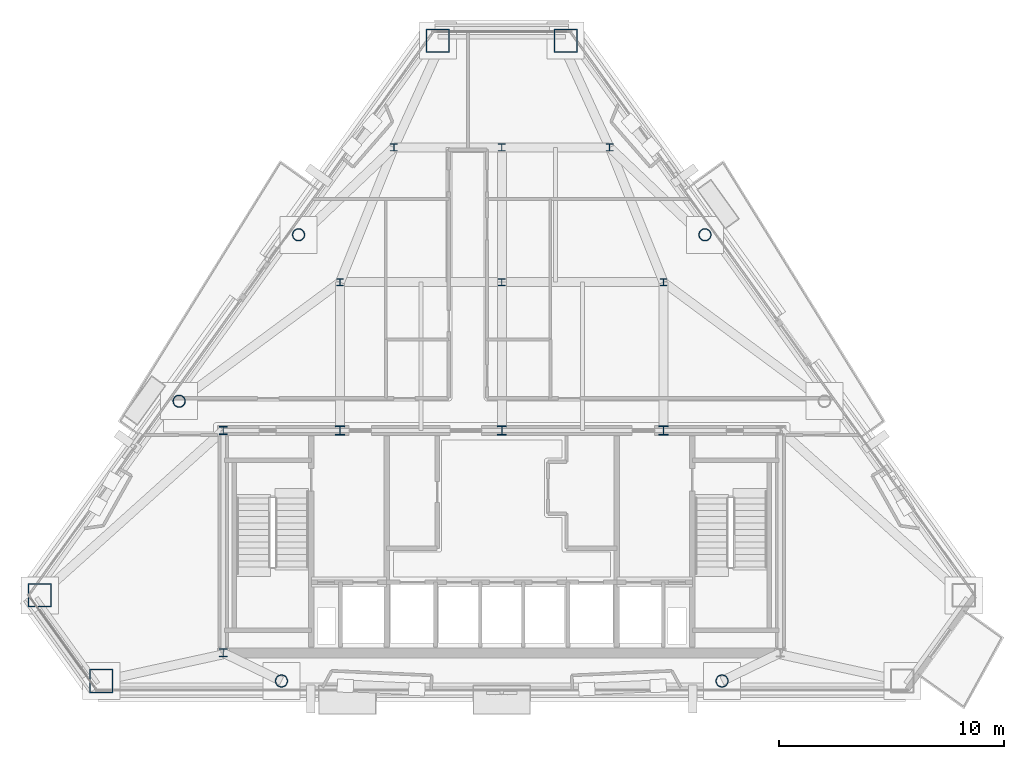
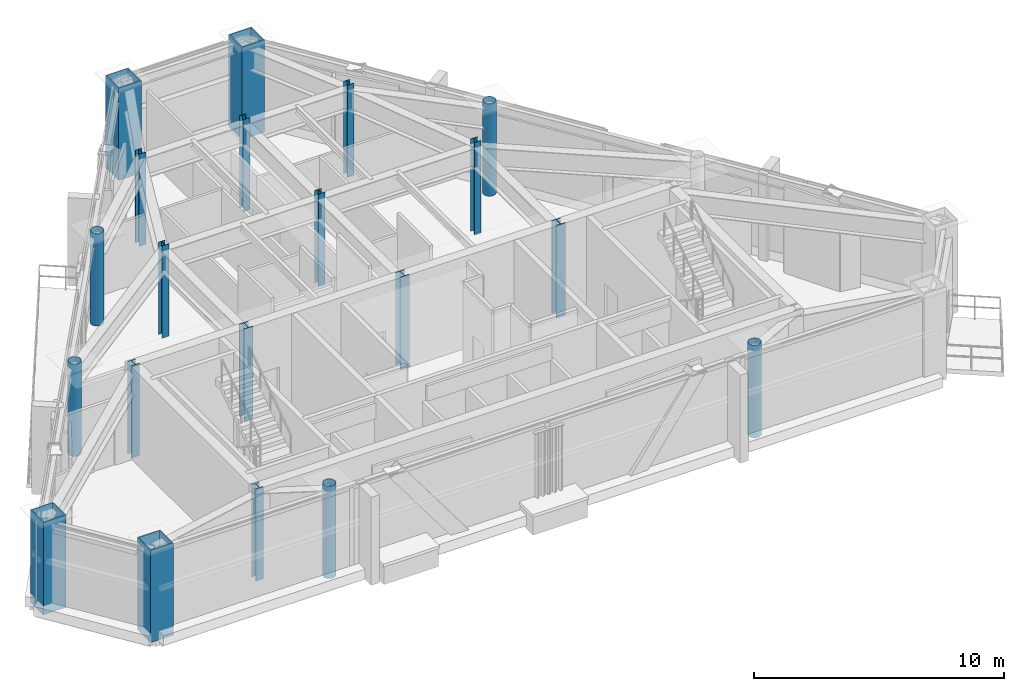
# One storey, part 1 of 11: 20 columns.
"""IFC4 building model written with IfcOpenShell, lengths in metres."""

from ifc_helpers import new_model, si_unit, direction, frame, origin, origin_2d, place, context, subcontext, project, spatial, hollow_rectangle, hollow_circle, i_section, extrude, material, material_profile, profile_set, type_object, element, save


model = new_model("IFC4")

# Units and contexts
model_context = context("Model", 3, precision=1e-05, world=origin(), true_north=direction((0.0, 1.0)))
body_context = subcontext(model_context, "Body", "Model", "MODEL_VIEW")
ifc_project = project(units=[si_unit("LENGTHUNIT", "METRE"), si_unit("AREAUNIT", "SQUARE_METRE"), si_unit("VOLUMEUNIT", "CUBIC_METRE"), si_unit("PLANEANGLEUNIT", "RADIAN"), si_unit("MASSUNIT", "GRAM", prefix="KILO")], contexts=[model_context])

# Site, building, storey
site_placement = place(None, origin())
site = spatial("IfcSite", under=ifc_project, at=site_placement, CompositionType="ELEMENT")
building_placement = place(site_placement, origin())
building = spatial("IfcBuilding", under=site, at=building_placement, Name="Talgorran Terracotta Tower", CompositionType="ELEMENT")
storey_placement = place(building_placement, frame((0.0, 0.0, 228.89990234375)))
storey = spatial("IfcBuildingStorey", under=building, at=storey_placement, Name="L60", CompositionType="ELEMENT", Elevation=228.89990234375)

# Columns
ifc_material_1 = material(Name="Steel S355 (300PLUS)", Category="steel")
ifc_material_profile_1 = material_profile(ifc_material_1, i_section(OverallWidth=0.306884765625, OverallDepth=0.314453125, WebThickness=0.011962890625, FlangeThickness=0.018798828125, at=origin_2d()), Name="310UC118")
ifc_profile_set_1 = profile_set([ifc_material_profile_1], Name="Steel S355 (300PLUS)")
column_type_1 = type_object("IfcColumnType", Name="COL_310UC118", PredefinedType="COLUMN", material=ifc_profile_set_1)
for number, where, z_axis, x_axis, name in (
    (1, (-7.199951171875, 2.39990234375, 0.0), (0.0, 0.0, 1.0), (1.0, 0.0, 0.0), "L60 Interior Gravity Column IC1"),
    (2, (0.0, 2.39990234375, 0.0), (0.0, 0.0, 1.0), (1.0, 0.0, 0.0), "L60 Interior Gravity Column IC2"),
    (3, (7.199951171875, 2.39990234375, 0.0), (0.0, 0.0, 1.0), (1.0, 0.0, 0.0), "L60 Interior Gravity Column IC3"),
    (4, (-4.800048828125, 8.39990234375, 0.0), (0.0, 0.0, 1.0), (1.0, 0.0, 0.0), "L60 Interior Gravity Column IC4"),
    (5, (0.0, 8.39990234375, 0.0), (0.0, 0.0, 1.0), (1.0, 0.0, 0.0), "L60 Interior Gravity Column IC5"),
    (6, (4.800048828125, 8.39990234375, 0.0), (0.0, 0.0, 1.0), (1.0, 0.0, 0.0), "L60 Interior Gravity Column IC6"),
):
    element("IfcColumn", number, at=place(storey_placement, frame(where, z_axis=z_axis, x_axis=x_axis)), inside=storey, type_object=column_type_1, Name=name, PredefinedType="COLUMN", context=body_context, shape_type="SweptSolid", body=[
        extrude(i_section(OverallWidth=0.306884765625, OverallDepth=0.314453125, WebThickness=0.011962890625, FlangeThickness=0.018798828125, at=origin_2d()), origin(), (0.0, 0.0, 1.0), 4.5),
    ])
ifc_material_profile_2 = material_profile(ifc_material_1, i_section(OverallWidth=0.35205078125, OverallDepth=0.35888671875, WebThickness=0.01806640625, FlangeThickness=0.02587890625, at=origin_2d()), Name="350WC197")
ifc_profile_set_2 = profile_set([ifc_material_profile_2], Name="Steel S355 (300PLUS)")
column_type_2 = type_object("IfcColumnType", Name="COL_350WC197", PredefinedType="COLUMN", material=ifc_profile_set_2)
for number, where, z_axis, x_axis, name in (
    (7, (-12.39990234375, -14.10009765625, 0.0), (0.0, 0.0, 1.0), (1.0, 0.0, 0.0), "L60 Core Boundary Column CC1"),
    (8, (-12.39990234375, -4.199951171875, 0.0), (0.0, 0.0, 1.0), (1.0, 0.0, 0.0), "L60 Core Boundary Column CC4"),
):
    element("IfcColumn", number, at=place(storey_placement, frame(where, z_axis=z_axis, x_axis=x_axis)), inside=storey, type_object=column_type_2, Name=name, PredefinedType="COLUMN", context=body_context, shape_type="SweptSolid", body=[
        extrude(i_section(OverallWidth=0.35205078125, OverallDepth=0.35888671875, WebThickness=0.01806640625, FlangeThickness=0.02587890625, at=origin_2d()), origin(), (0.0, 0.0, 1.0), 4.5),
    ])
ifc_material_2 = material(Name="Steel Grade 350 (350L0)", Category="steel")
ifc_material_profile_3 = material_profile(ifc_material_2, hollow_rectangle(XDim=1.050048828125, YDim=1.050048828125, WallThickness=0.044921875, at=origin_2d()), Name="CFT1050X1050X45")
ifc_profile_set_3 = profile_set([ifc_material_profile_3], Name="Steel Grade 350 (350L0)")
column_type_3 = type_object("IfcColumnType", Name="COL_CFT_1050", PredefinedType="COLUMN", material=ifc_profile_set_3)
for number, where, z_axis, x_axis, name in (
    (9, (-20.566650390625, -11.53955078125, 0.0), (0.0, 0.0, 1.0), (1.0, 0.0, 0.0), "L60 Corner CFT Mega-Column MC1"),
    (10, (-17.830078125, -15.352294921875, 0.0), (0.0, 0.0, 1.0), (1.0, 0.0, 0.0), "L60 Corner CFT Mega-Column MC2"),
    (11, (2.843017578125, 13.153076171875, 0.0), (0.0, 0.0, 1.0), (1.0, 0.0, 0.0), "L60 Corner CFT Mega-Column MC5"),
    (12, (-2.843017578125, 13.153076171875, 0.0), (0.0, 0.0, 1.0), (1.0, 0.0, 0.0), "L60 Corner CFT Mega-Column MC6"),
):
    element("IfcColumn", number, at=place(storey_placement, frame(where, z_axis=z_axis, x_axis=x_axis)), inside=storey, type_object=column_type_3, Name=name, PredefinedType="COLUMN", context=body_context, shape_type="SweptSolid", body=[
        extrude(hollow_rectangle(XDim=1.050048828125, YDim=1.050048828125, WallThickness=0.044921875, at=origin_2d()), origin(), (0.0, 0.0, 1.0), 4.5),
    ])
ifc_material_profile_4 = material_profile(ifc_material_2, hollow_circle(Radius=0.27490234375, WallThickness=0.02392578125, at=origin_2d()), Name="CHS550X24")
ifc_profile_set_4 = profile_set([ifc_material_profile_4], Name="Steel Grade 350 (350L0)")
column_type_4 = type_object("IfcColumnType", Name="COL_CHS_550", PredefinedType="COLUMN", material=ifc_profile_set_4)
for number, where, z_axis, x_axis, name in (
    (13, (-9.806640625, -15.352294921875, 0.0), (0.0, 0.0, 1.0), (1.0, 0.0, 0.0), "L60 Facet Perimeter Column FC1"),
    (14, (9.806640625, -15.352294921875, 0.0), (0.0, 0.0, 1.0), (1.0, 0.0, 0.0), "L60 Facet Perimeter Column FC2"),
    (15, (9.04638671875, 4.510498046875, 0.0), (0.0, 0.0, 1.0), (1.0, 0.0, 0.0), "L60 Facet Perimeter Column FC4"),
    (16, (-9.04638671875, 4.510498046875, 0.0), (0.0, 0.0, 1.0), (1.0, 0.0, 0.0), "L60 Facet Perimeter Column FC5"),
    (17, (-14.36328125, -2.897216796875, 0.0), (0.0, 0.0, 1.0), (1.0, 0.0, 0.0), "L60 Facet Perimeter Column FC6"),
):
    element("IfcColumn", number, at=place(storey_placement, frame(where, z_axis=z_axis, x_axis=x_axis)), inside=storey, type_object=column_type_4, Name=name, PredefinedType="COLUMN", context=body_context, shape_type="SweptSolid", body=[
        extrude(hollow_circle(Radius=0.27490234375, WallThickness=0.02392578125, at=origin_2d()), origin(), (0.0, 0.0, 1.0), 4.5),
    ])
ifc_material_profile_5 = material_profile(ifc_material_1, i_section(OverallWidth=0.405029296875, OverallDepth=0.4140625, WebThickness=0.02197265625, FlangeThickness=0.031982421875, at=origin_2d()), Name="400WC270")
ifc_profile_set_5 = profile_set([ifc_material_profile_5], Name="Steel S355 (300PLUS)")
column_type_5 = type_object("IfcColumnType", Name="COL_PIL_400WC270", PredefinedType="PILASTER", material=ifc_profile_set_5)
for number, where, z_axis, x_axis, name in (
    (18, (-7.199951171875, -4.199951171875, 0.0), (0.0, 0.0, 1.0), (1.0, 0.0, 0.0), "L60 Core Shear Pilaster CP1"),
    (19, (0.0, -4.199951171875, 0.0), (0.0, 0.0, 1.0), (1.0, 0.0, 0.0), "L60 Core Shear Pilaster CP2"),
    (20, (7.199951171875, -4.199951171875, 0.0), (0.0, 0.0, 1.0), (1.0, 0.0, 0.0), "L60 Core Shear Pilaster CP3"),
):
    element("IfcColumn", number, at=place(storey_placement, frame(where, z_axis=z_axis, x_axis=x_axis)), inside=storey, type_object=column_type_5, Name=name, PredefinedType="PILASTER", context=body_context, shape_type="SweptSolid", body=[
        extrude(i_section(OverallWidth=0.405029296875, OverallDepth=0.4140625, WebThickness=0.02197265625, FlangeThickness=0.031982421875, at=origin_2d()), origin(), (0.0, 0.0, 1.0), 4.5),
    ])

save(model, "model.ifc")
